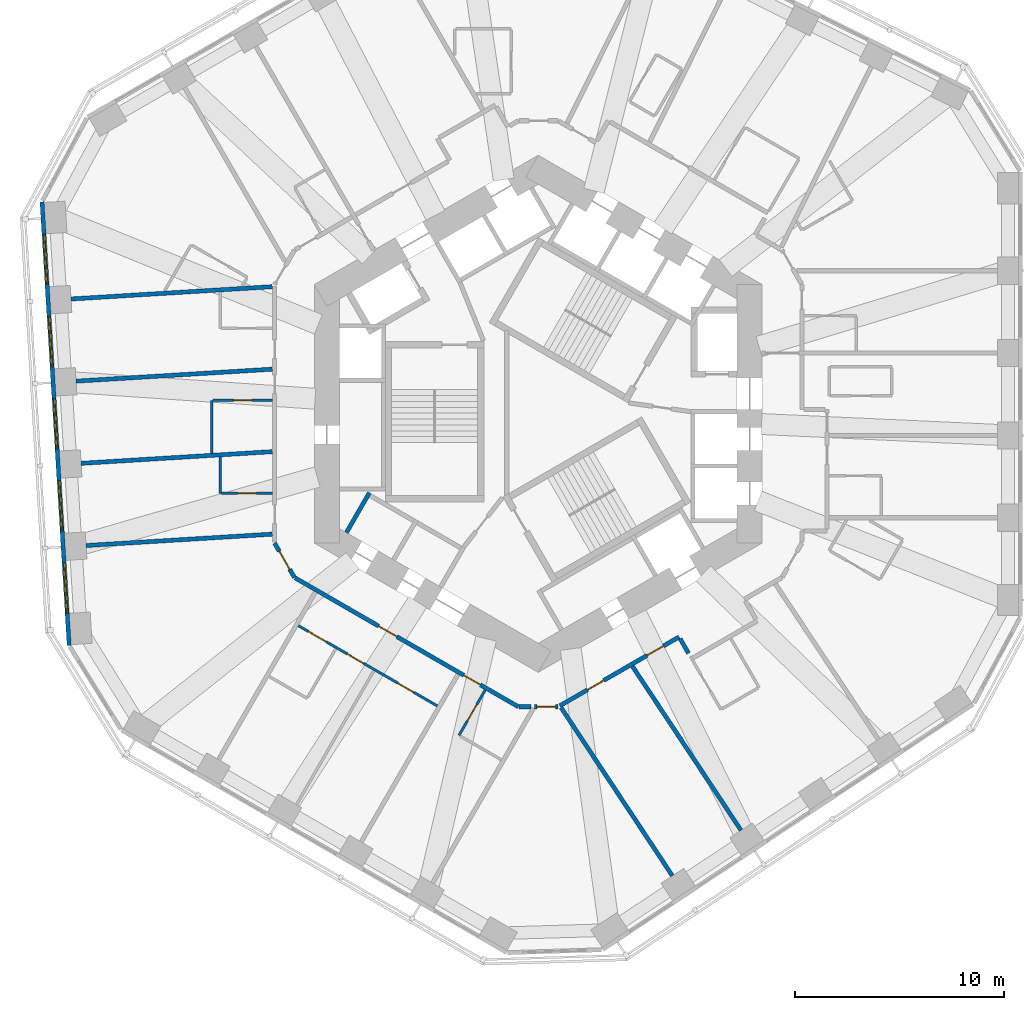
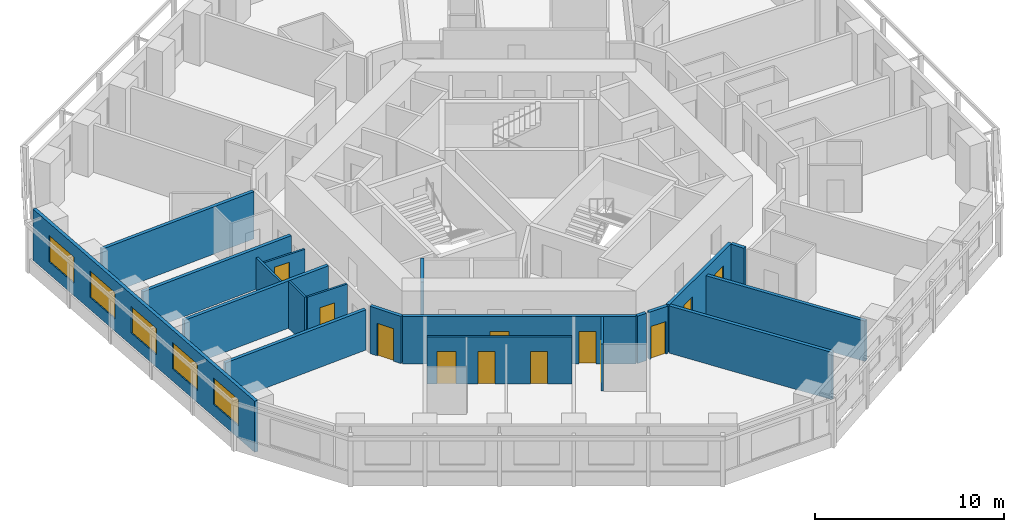
# One storey, part 4 of 12: 20 walls, 12 doors, 5 windows, 17 openings.
"""IFC4 building model written with IfcOpenShell, lengths in metres."""

from ifc_helpers import new_model, si_unit, direction, frame, frame_2d, origin, place, context, subcontext, project, spatial, rectangle, extrude, material, layer, layer_set, type_object, element, fill, save


model = new_model("IFC4")

# Units and contexts
model_context = context("Model", 3, precision=1e-05, world=origin(), true_north=direction((0.0, 1.0)))
body_context = subcontext(model_context, "Body", "Model", "MODEL_VIEW")
ifc_project = project(units=[si_unit("LENGTHUNIT", "METRE"), si_unit("AREAUNIT", "SQUARE_METRE"), si_unit("VOLUMEUNIT", "CUBIC_METRE"), si_unit("PLANEANGLEUNIT", "RADIAN"), si_unit("MASSUNIT", "GRAM", prefix="KILO")], contexts=[model_context])

# Site, building, storey
site_placement = place(None, origin())
site = spatial("IfcSite", under=ifc_project, at=site_placement, CompositionType="ELEMENT")
building_placement = place(site_placement, origin())
building = spatial("IfcBuilding", under=site, at=building_placement, Name="Vanh Sen Convention Tower", CompositionType="ELEMENT")
storey_placement = place(building_placement, frame((0.0, 0.0, 57.199951171875)))
storey = spatial("IfcBuildingStorey", under=building, at=storey_placement, Name="L11", CompositionType="ELEMENT", Elevation=57.199951171875)

# Wall
ifc_material_1 = material(Name="Moisture-resistant gypsum board on steel studs", Category="steel")
ifc_layer_1 = layer(ifc_material_1, 0.1201171875)
ifc_layer_set_1 = layer_set([ifc_layer_1], Name="Moisture-resistant gypsum board on steel studs")
wall_type_1 = type_object("IfcWallType", Name="Bathroom partition 120", PredefinedType="PARTITIONING", material=ifc_layer_set_1)
wall_1_placement = place(storey_placement, frame((-15.60009765625, -1.885986328125, 0.0), z_axis=(0.0, 0.0, 1.0), x_axis=(0.0, 1.0, 0.0)))
element("IfcWall", 1, at=wall_1_placement, inside=storey, type_object=wall_type_1, Name="Bathroom partition 120", PredefinedType="PARTITIONING", context=body_context, shape_type="SweptSolid", body=[
    extrude(rectangle(XDim=2.525390625, YDim=0.1201171875, at=frame_2d((1.2626953125, 0.0))), origin(), (0.0, 0.0, 1.0), 3.050048828125),
])

# Wall, opening, door
wall_2_placement = place(storey_placement, frame((-15.5400390625, 0.639404296875, 0.0), z_axis=(0.0, 0.0, 1.0), x_axis=(1.0, 0.0, 0.0)))
wall_2 = element("IfcWall", 2, at=wall_2_placement, inside=storey, type_object=wall_type_1, Name="Bathroom partition 120", PredefinedType="PARTITIONING", context=body_context, shape_type="SweptSolid", body=[
    extrude(rectangle(XDim=2.840087890625, YDim=0.1201171875, at=frame_2d((1.419921875, 0.0))), origin(), (0.0, 0.0, 1.0), 2.60009765625),
])
opening_1_placement = place(wall_2_placement, frame((0.969970703125, 0.0, 0.0)))
opening_1 = element("IfcOpeningElement", 3, at=opening_1_placement, cuts=wall_2, Name="Opening D10123", PredefinedType="OPENING", context=body_context, shape_type="SweptSolid", body=[
    extrude(rectangle(XDim=0.89990234375, YDim=2.10009765625, at=frame_2d((0.449951171875, 1.050048828125))), frame((0.0, 0.070068359375, 0.0), z_axis=(0.0, -1.0, 0.0), x_axis=(1.0, 0.0, 0.0)), (0.0, 0.0, 1.0), 0.14013671875),
])
ifc_material_2 = material(Name="Laminate door in steel frame", Category="steel")
door_type_1 = type_object("IfcDoorType", Name="En-suite door 900", OperationType="SINGLE_SWING_LEFT", PredefinedType="DOOR", material=ifc_material_2)
door_1_placement = place(opening_1_placement, origin())
door_1 = element("IfcDoor", 4, at=door_1_placement, inside=storey, type_object=door_type_1, Name="En-suite door D10123", OperationType="SINGLE_SWING_LEFT", OverallHeight=2.10009765625, OverallWidth=0.89990234375, PredefinedType="DOOR", context=body_context, shape_type="SweptSolid", body=[
    extrude(rectangle(XDim=0.89990234375, YDim=2.10009765625, at=frame_2d((0.449951171875, 1.050048828125))), frame((0.0, 0.02490234375, 0.0), z_axis=(0.0, -1.0, 0.0), x_axis=(1.0, 0.0, 0.0)), (0.0, 0.0, 1.0), 0.050048828125),
])
fill(opening_1, door_1)

# Wall
wall_3_placement = place(storey_placement, frame((-15.199951171875, -3.802734375, 0.0), z_axis=(0.0, 0.0, 1.0), x_axis=(0.0, 1.0, 0.0)))
element("IfcWall", 5, at=wall_3_placement, inside=storey, type_object=wall_type_1, Name="Bathroom partition 120", PredefinedType="PARTITIONING", context=body_context, shape_type="SweptSolid", body=[
    extrude(rectangle(XDim=1.740966796875, YDim=0.1201171875, at=frame_2d((0.87060546875, 0.0))), origin(), (0.0, 0.0, 1.0), 3.050048828125),
])

# Wall, opening, door
wall_4_placement = place(storey_placement, frame((-12.699951171875, -3.802734375, 0.0), z_axis=(0.0, 0.0, 1.0), x_axis=(-1.0, 0.0, 0.0)))
wall_4 = element("IfcWall", 6, at=wall_4_placement, inside=storey, type_object=wall_type_1, Name="Bathroom partition 120", PredefinedType="PARTITIONING", context=body_context, shape_type="SweptSolid", body=[
    extrude(rectangle(XDim=2.43994140625, YDim=0.1201171875, at=frame_2d((1.219970703125, 0.0))), origin(), (0.0, 0.0, 1.0), 3.050048828125),
])
opening_2_placement = place(wall_4_placement, frame((0.77001953125, 0.0, 0.0)))
opening_2 = element("IfcOpeningElement", 7, at=opening_2_placement, cuts=wall_4, Name="Opening D10125", PredefinedType="OPENING", context=body_context, shape_type="SweptSolid", body=[
    extrude(rectangle(XDim=0.89990234375, YDim=2.10009765625, at=frame_2d((0.449951171875, 1.050048828125))), frame((0.0, 0.070068359375, 0.0), z_axis=(0.0, -1.0, 0.0), x_axis=(1.0, 0.0, 0.0)), (0.0, 0.0, 1.0), 0.14013671875),
])
door_2_placement = place(opening_2_placement, origin())
door_2 = element("IfcDoor", 8, at=door_2_placement, inside=storey, type_object=door_type_1, Name="En-suite door D10125", OperationType="SINGLE_SWING_LEFT", OverallHeight=2.10009765625, OverallWidth=0.89990234375, PredefinedType="DOOR", context=body_context, shape_type="SweptSolid", body=[
    extrude(rectangle(XDim=0.89990234375, YDim=2.10009765625, at=frame_2d((0.449951171875, 1.050048828125))), frame((0.0, 0.02490234375, 0.0), z_axis=(0.0, -1.0, 0.0), x_axis=(1.0, 0.0, 0.0)), (0.0, 0.0, 1.0), 0.050048828125),
])
fill(opening_2, door_2)

# Wall, openings, doors
wall_5_placement = place(storey_placement, frame((-11.462890625, -10.125, 0.0), z_axis=(0.0, 0.0, 1.0), x_axis=(0.866014882148, -0.500018223566, 0.0)))
wall_5 = element("IfcWall", 9, at=wall_5_placement, inside=storey, type_object=wall_type_1, Name="Bathroom partition 120", PredefinedType="PARTITIONING", context=body_context, shape_type="SweptSolid", body=[
    extrude(rectangle(XDim=7.669189453125, YDim=0.1201171875, at=frame_2d((3.83447265625, 0.0))), origin(), (0.0, 0.0, 1.0), 3.050048828125),
])
opening_3_placement = place(wall_5_placement, frame((0.550048828125, 0.0, 0.0)))
opening_3 = element("IfcOpeningElement", 10, at=opening_3_placement, cuts=wall_5, Name="Opening D10128", PredefinedType="OPENING", context=body_context, shape_type="SweptSolid", body=[
    extrude(rectangle(XDim=1.0, YDim=2.10009765625, at=frame_2d((0.5, 1.050048828125))), frame((0.0, 0.070068359375, 0.0), z_axis=(0.0, -1.0, 0.0), x_axis=(1.0, 0.0, 0.0)), (0.0, 0.0, 1.0), 0.14013671875),
])
opening_4_placement = place(wall_5_placement, frame((2.7001953125, 0.0, 0.0)))
opening_4 = element("IfcOpeningElement", 11, at=opening_4_placement, cuts=wall_5, Name="Opening D10129", PredefinedType="OPENING", context=body_context, shape_type="SweptSolid", body=[
    extrude(rectangle(XDim=0.89990234375, YDim=2.10009765625, at=frame_2d((0.449951171875, 1.050048828125))), frame((0.0, 0.070068359375, 0.0), z_axis=(0.0, -1.0, 0.0), x_axis=(1.0, 0.0, 0.0)), (0.0, 0.0, 1.0), 0.14013671875),
])
opening_5_placement = place(wall_5_placement, frame((5.484619140625, 0.0, 0.0)))
opening_5 = element("IfcOpeningElement", 12, at=opening_5_placement, cuts=wall_5, Name="Opening D10130", PredefinedType="OPENING", context=body_context, shape_type="SweptSolid", body=[
    extrude(rectangle(XDim=0.89990234375, YDim=2.10009765625, at=frame_2d((0.449951171875, 1.050048828125))), frame((0.0, 0.070068359375, 0.0), z_axis=(0.0, -1.0, 0.0), x_axis=(1.0, 0.0, 0.0)), (0.0, 0.0, 1.0), 0.14013671875),
])
door_type_2 = type_object("IfcDoorType", Name="Accessible WC door 1000", OperationType="SINGLE_SWING_LEFT", PredefinedType="DOOR", material=ifc_material_2)
door_3_placement = place(opening_3_placement, origin())
door_3 = element("IfcDoor", 13, at=door_3_placement, inside=storey, type_object=door_type_2, Name="Accessible WC door D10128", OperationType="SINGLE_SWING_LEFT", OverallHeight=2.10009765625, OverallWidth=1.0, PredefinedType="DOOR", context=body_context, shape_type="SweptSolid", body=[
    extrude(rectangle(XDim=1.0, YDim=2.10009765625, at=frame_2d((0.5, 1.050048828125))), frame((0.0, 0.02490234375, 0.0), z_axis=(0.0, -1.0, 0.0), x_axis=(1.0, 0.0, 0.0)), (0.0, 0.0, 1.0), 0.050048828125),
])
fill(opening_3, door_3)
door_type_3 = type_object("IfcDoorType", Name="Room internal door 900", OperationType="SINGLE_SWING_LEFT", PredefinedType="DOOR", material=ifc_material_2)
door_4_placement = place(opening_4_placement, origin())
door_4 = element("IfcDoor", 14, at=door_4_placement, inside=storey, type_object=door_type_3, Name="Internal room door D10129", OperationType="SINGLE_SWING_LEFT", OverallHeight=2.10009765625, OverallWidth=0.89990234375, PredefinedType="DOOR", context=body_context, shape_type="SweptSolid", body=[
    extrude(rectangle(XDim=0.89990234375, YDim=2.10009765625, at=frame_2d((0.449951171875, 1.050048828125))), frame((0.0, 0.02490234375, 0.0), z_axis=(0.0, -1.0, 0.0), x_axis=(1.0, 0.0, 0.0)), (0.0, 0.0, 1.0), 0.050048828125),
])
fill(opening_4, door_4)
door_5_placement = place(opening_5_placement, origin())
door_5 = element("IfcDoor", 15, at=door_5_placement, inside=storey, type_object=door_type_3, Name="Internal room door D10130", OperationType="SINGLE_SWING_LEFT", OverallHeight=2.10009765625, OverallWidth=0.89990234375, PredefinedType="DOOR", context=body_context, shape_type="SweptSolid", body=[
    extrude(rectangle(XDim=0.89990234375, YDim=2.10009765625, at=frame_2d((0.449951171875, 1.050048828125))), frame((0.0, 0.02490234375, 0.0), z_axis=(0.0, -1.0, 0.0), x_axis=(1.0, 0.0, 0.0)), (0.0, 0.0, 1.0), 0.050048828125),
])
fill(opening_5, door_5)

# Wall, opening, door
wall_6_placement = place(storey_placement, frame((-3.78564453125, -15.36572265625, 0.0), z_axis=(0.0, 0.0, 1.0), x_axis=(0.500004234368, 0.866022959057, 0.0)))
wall_6 = element("IfcWall", 16, at=wall_6_placement, inside=storey, type_object=wall_type_1, Name="Bathroom partition 120", PredefinedType="PARTITIONING", context=body_context, shape_type="SweptSolid", body=[
    extrude(rectangle(XDim=2.5, YDim=0.1201171875, at=frame_2d((1.25, 0.0))), origin(), (0.0, 0.0, 1.0), 3.050048828125),
])
opening_6_placement = place(wall_6_placement, frame((0.800048828125, 0.0, 0.0)))
opening_6 = element("IfcOpeningElement", 17, at=opening_6_placement, cuts=wall_6, Name="Opening D10132", PredefinedType="OPENING", context=body_context, shape_type="SweptSolid", body=[
    extrude(rectangle(XDim=0.89990234375, YDim=2.10009765625, at=frame_2d((0.449951171875, 1.050048828125))), frame((0.0, 0.070068359375, 0.0), z_axis=(0.0, -1.0, 0.0), x_axis=(1.0, 0.0, 0.0)), (0.0, 0.0, 1.0), 0.14013671875),
])
door_6_placement = place(opening_6_placement, origin())
door_6 = element("IfcDoor", 18, at=door_6_placement, inside=storey, type_object=door_type_1, Name="En-suite door D10132", OperationType="SINGLE_SWING_LEFT", OverallHeight=2.10009765625, OverallWidth=0.89990234375, PredefinedType="DOOR", context=body_context, shape_type="SweptSolid", body=[
    extrude(rectangle(XDim=0.89990234375, YDim=2.10009765625, at=frame_2d((0.449951171875, 1.050048828125))), frame((0.0, 0.02490234375, 0.0), z_axis=(0.0, -1.0, 0.0), x_axis=(1.0, 0.0, 0.0)), (0.0, 0.0, 1.0), 0.050048828125),
])
fill(opening_6, door_6)

ifc_material_3 = material(Name="Gypsum board on steel studs with mineral wool", Category="steel")
ifc_layer_2 = layer(ifc_material_3, 0.199951171875)
ifc_layer_set_2 = layer_set([ifc_layer_2], Name="Gypsum board on steel studs with mineral wool")
wall_type_2 = type_object("IfcWallType", Name="Corridor partition wall 200", PredefinedType="PARTITIONING", material=ifc_layer_set_2)
wall_7_placement = place(storey_placement, frame((-12.60009765625, -6.177490234375, 0.0), z_axis=(0.0, 0.0, 1.0), x_axis=(0.500063520245, -0.865988727248, 0.0)))
wall_7 = element("IfcWall", 19, at=wall_7_placement, inside=storey, type_object=wall_type_2, Name="Corridor partition wall 200", PredefinedType="PARTITIONING", context=body_context, shape_type="SweptSolid", body=[
    extrude(rectangle(XDim=1.900146484375, YDim=0.199951171875, at=frame_2d((0.9501953125, 0.0))), origin(), (0.0, 0.0, 1.0), 3.050048828125),
])
opening_7_placement = place(wall_7_placement, frame((0.449951171875, 0.0, 0.0)))
opening_7 = element("IfcOpeningElement", 20, at=opening_7_placement, cuts=wall_7, Name="Opening D10126", PredefinedType="OPENING", context=body_context, shape_type="SweptSolid", body=[
    extrude(rectangle(XDim=1.0, YDim=2.10009765625, at=frame_2d((0.5, 1.050048828125))), frame((0.0, 0.10986328125, 0.0), z_axis=(0.0, -1.0, 0.0), x_axis=(1.0, 0.0, 0.0)), (0.0, 0.0, 1.0), 0.219970703125),
])
ifc_material_4 = material(Name="Timber fire door in steel frame", Category="steel")
door_type_4 = type_object("IfcDoorType", Name="Floor room door 1000", OperationType="SINGLE_SWING_LEFT", PredefinedType="DOOR", material=ifc_material_4)
door_7_placement = place(opening_7_placement, origin())
door_7 = element("IfcDoor", 21, at=door_7_placement, inside=storey, type_object=door_type_4, Name="Meeting and amenity room door D10126", OperationType="SINGLE_SWING_LEFT", OverallHeight=2.10009765625, OverallWidth=1.0, PredefinedType="DOOR", context=body_context, shape_type="SweptSolid", body=[
    extrude(rectangle(XDim=1.0, YDim=2.10009765625, at=frame_2d((0.5, 1.050048828125))), frame((0.0, 0.02490234375, 0.0), z_axis=(0.0, -1.0, 0.0), x_axis=(1.0, 0.0, 0.0)), (0.0, 0.0, 1.0), 0.050048828125),
])
fill(opening_7, door_7)

# Wall, openings, doors
wall_8_placement = place(storey_placement, frame((-11.615478515625, -7.843017578125, 0.0), z_axis=(0.0, 0.0, 1.0), x_axis=(0.866026466995, -0.499998158461, 0.0)))
wall_8 = element("IfcWall", 22, at=wall_8_placement, inside=storey, type_object=wall_type_2, Name="Corridor partition wall 200", PredefinedType="PARTITIONING", context=body_context, shape_type="SweptSolid", body=[
    extrude(rectangle(XDim=12.3154296875, YDim=0.199951171875, at=frame_2d((6.15771484375, 0.0))), origin(), (0.0, 0.0, 1.0), 3.050048828125),
])
opening_8_placement = place(wall_8_placement, frame((4.607666015625, 0.0, 0.0)))
opening_8 = element("IfcOpeningElement", 23, at=opening_8_placement, cuts=wall_8, Name="Opening D10127", PredefinedType="OPENING", context=body_context, shape_type="SweptSolid", body=[
    extrude(rectangle(XDim=1.0, YDim=2.10009765625, at=frame_2d((0.5, 1.050048828125))), frame((0.0, 0.10986328125, 0.0), z_axis=(0.0, -1.0, 0.0), x_axis=(1.0, 0.0, 0.0)), (0.0, 0.0, 1.0), 0.219970703125),
])
opening_9_placement = place(wall_8_placement, frame((9.317138671875, 0.0, 0.0)))
opening_9 = element("IfcOpeningElement", 24, at=opening_9_placement, cuts=wall_8, Name="Opening D10131", PredefinedType="OPENING", context=body_context, shape_type="SweptSolid", body=[
    extrude(rectangle(XDim=0.89990234375, YDim=2.10009765625, at=frame_2d((0.449951171875, 1.050048828125))), frame((0.0, 0.10986328125, 0.0), z_axis=(0.0, -1.0, 0.0), x_axis=(1.0, 0.0, 0.0)), (0.0, 0.0, 1.0), 0.219970703125),
])
door_8_placement = place(opening_8_placement, origin())
door_8 = element("IfcDoor", 25, at=door_8_placement, inside=storey, type_object=door_type_4, Name="Meeting and amenity room door D10127", OperationType="SINGLE_SWING_LEFT", OverallHeight=2.10009765625, OverallWidth=1.0, PredefinedType="DOOR", context=body_context, shape_type="SweptSolid", body=[
    extrude(rectangle(XDim=1.0, YDim=2.10009765625, at=frame_2d((0.5, 1.050048828125))), frame((0.0, 0.02490234375, 0.0), z_axis=(0.0, -1.0, 0.0), x_axis=(1.0, 0.0, 0.0)), (0.0, 0.0, 1.0), 0.050048828125),
])
fill(opening_8, door_8)
door_type_5 = type_object("IfcDoorType", Name="Guest room door 900", OperationType="SINGLE_SWING_LEFT", PredefinedType="DOOR", material=ifc_material_4)
door_9_placement = place(opening_9_placement, origin())
door_9 = element("IfcDoor", 26, at=door_9_placement, inside=storey, type_object=door_type_5, Name="Hotel guest room door D10131", OperationType="SINGLE_SWING_LEFT", OverallHeight=2.10009765625, OverallWidth=0.89990234375, PredefinedType="DOOR", context=body_context, shape_type="SweptSolid", body=[
    extrude(rectangle(XDim=0.89990234375, YDim=2.10009765625, at=frame_2d((0.449951171875, 1.050048828125))), frame((0.0, 0.02490234375, 0.0), z_axis=(0.0, -1.0, 0.0), x_axis=(1.0, 0.0, 0.0)), (0.0, 0.0, 1.0), 0.050048828125),
])
fill(opening_9, door_9)

# Wall
wall_9_placement = place(storey_placement, frame((-0.909912109375, -14.000732421875, 0.0), z_axis=(0.0, 0.0, 1.0), x_axis=(1.0, 0.0, 0.0)))
element("IfcWall", 27, at=wall_9_placement, inside=storey, type_object=wall_type_2, Name="Corridor partition wall 200", PredefinedType="PARTITIONING", context=body_context, shape_type="SweptSolid", body=[
    extrude(rectangle(XDim=0.559814453125, YDim=0.199951171875, at=frame_2d((0.27978515625, 0.0))), origin(), (0.0, 0.0, 1.0), 3.050048828125),
])

# Wall, opening, door
wall_10_placement = place(storey_placement, frame((-0.186279296875, -14.000732421875, 0.0), z_axis=(0.0, 0.0, 1.0), x_axis=(1.0, 0.0, 0.0)))
wall_10 = element("IfcWall", 28, at=wall_10_placement, inside=storey, type_object=wall_type_2, Name="Corridor partition wall 200", PredefinedType="PARTITIONING", context=body_context, shape_type="SweptSolid", body=[
    extrude(rectangle(XDim=1.13623046875, YDim=0.199951171875, at=frame_2d((0.568115234375, 0.0))), origin(), (0.0, 0.0, 1.0), 3.050048828125),
])
opening_10_placement = place(wall_10_placement, frame((0.1181640625, 0.0, 0.0)))
opening_10 = element("IfcOpeningElement", 29, at=opening_10_placement, cuts=wall_10, Name="Opening D10133", PredefinedType="OPENING", context=body_context, shape_type="SweptSolid", body=[
    extrude(rectangle(XDim=0.89990234375, YDim=2.10009765625, at=frame_2d((0.449951171875, 1.050048828125))), frame((0.0, 0.10986328125, 0.0), z_axis=(0.0, -1.0, 0.0), x_axis=(1.0, 0.0, 0.0)), (0.0, 0.0, 1.0), 0.219970703125),
])
door_type_6 = type_object("IfcDoorType", Name="Floor room door 900", OperationType="SINGLE_SWING_LEFT", PredefinedType="DOOR", material=ifc_material_4)
door_10_placement = place(opening_10_placement, origin())
door_10 = element("IfcDoor", 30, at=door_10_placement, inside=storey, type_object=door_type_6, Name="Meeting and amenity room door D10133", OperationType="SINGLE_SWING_LEFT", OverallHeight=2.10009765625, OverallWidth=0.89990234375, PredefinedType="DOOR", context=body_context, shape_type="SweptSolid", body=[
    extrude(rectangle(XDim=0.89990234375, YDim=2.10009765625, at=frame_2d((0.449951171875, 1.050048828125))), frame((0.0, 0.02490234375, 0.0), z_axis=(0.0, -1.0, 0.0), x_axis=(1.0, 0.0, 0.0)), (0.0, 0.0, 1.0), 0.050048828125),
])
fill(opening_10, door_10)

# Wall, openings, doors
wall_11_placement = place(storey_placement, frame((1.033447265625, -13.95263671875, 0.0), z_axis=(0.0, 0.0, 1.0), x_axis=(0.866017531406, 0.500013635111, 0.0)))
wall_11 = element("IfcWall", 31, at=wall_11_placement, inside=storey, type_object=wall_type_2, Name="Corridor partition wall 200", PredefinedType="PARTITIONING", context=body_context, shape_type="SweptSolid", body=[
    extrude(rectangle(XDim=6.580322265625, YDim=0.199951171875, at=frame_2d((3.2900390625, 0.0))), origin(), (0.0, 0.0, 1.0), 3.050048828125),
])
opening_11_placement = place(wall_11_placement, frame((1.52099609375, 0.0, 0.0)))
opening_11 = element("IfcOpeningElement", 32, at=opening_11_placement, cuts=wall_11, Name="Opening D10134", PredefinedType="OPENING", context=body_context, shape_type="SweptSolid", body=[
    extrude(rectangle(XDim=0.89990234375, YDim=2.10009765625, at=frame_2d((0.449951171875, 1.050048828125))), frame((0.0, 0.10986328125, 0.0), z_axis=(0.0, -1.0, 0.0), x_axis=(1.0, 0.0, 0.0)), (0.0, 0.0, 1.0), 0.219970703125),
])
opening_12_placement = place(wall_11_placement, frame((4.81103515625, 0.0, 0.0)))
opening_12 = element("IfcOpeningElement", 33, at=opening_12_placement, cuts=wall_11, Name="Opening D10135", PredefinedType="OPENING", context=body_context, shape_type="SweptSolid", body=[
    extrude(rectangle(XDim=0.89990234375, YDim=2.10009765625, at=frame_2d((0.449951171875, 1.050048828125))), frame((0.0, 0.10986328125, 0.0), z_axis=(0.0, -1.0, 0.0), x_axis=(1.0, 0.0, 0.0)), (0.0, 0.0, 1.0), 0.219970703125),
])
door_type_7 = type_object("IfcDoorType", Name="Floor service door 900", OperationType="SINGLE_SWING_LEFT", PredefinedType="DOOR", material=ifc_material_4)
door_11_placement = place(opening_11_placement, origin())
door_11 = element("IfcDoor", 34, at=door_11_placement, inside=storey, type_object=door_type_7, Name="Service room door D10134", OperationType="SINGLE_SWING_LEFT", OverallHeight=2.10009765625, OverallWidth=0.89990234375, PredefinedType="DOOR", context=body_context, shape_type="SweptSolid", body=[
    extrude(rectangle(XDim=0.89990234375, YDim=2.10009765625, at=frame_2d((0.449951171875, 1.050048828125))), frame((0.0, 0.02490234375, 0.0), z_axis=(0.0, -1.0, 0.0), x_axis=(1.0, 0.0, 0.0)), (0.0, 0.0, 1.0), 0.050048828125),
])
fill(opening_11, door_11)
door_12_placement = place(opening_12_placement, origin())
door_12 = element("IfcDoor", 35, at=door_12_placement, inside=storey, type_object=door_type_5, Name="Hotel guest room door D10135", OperationType="SINGLE_SWING_LEFT", OverallHeight=2.10009765625, OverallWidth=0.89990234375, PredefinedType="DOOR", context=body_context, shape_type="SweptSolid", body=[
    extrude(rectangle(XDim=0.89990234375, YDim=2.10009765625, at=frame_2d((0.449951171875, 1.050048828125))), frame((0.0, 0.02490234375, 0.0), z_axis=(0.0, -1.0, 0.0), x_axis=(1.0, 0.0, 0.0)), (0.0, 0.0, 1.0), 0.050048828125),
])
fill(opening_12, door_12)

# Wall
wall_12_placement = place(storey_placement, frame((6.781982421875, -10.7490234375, 0.0), z_axis=(0.0, 0.0, 1.0), x_axis=(0.500170954823, -0.865926680471, 0.0)))
element("IfcWall", 36, at=wall_12_placement, inside=storey, type_object=wall_type_2, Name="Corridor partition wall 200", PredefinedType="PARTITIONING", context=body_context, shape_type="SweptSolid", body=[
    extrude(rectangle(XDim=0.801025390625, YDim=0.199951171875, at=frame_2d((0.400390625, 0.0))), origin(), (0.0, 0.0, 1.0), 3.050048828125),
])

# Wall, openings, windows
ifc_material_5 = material(Name="Insulated lightweight infill wall")
ifc_layer_3 = layer(ifc_material_5, 0.199951171875)
ifc_layer_set_3 = layer_set([ifc_layer_3], Name="Insulated lightweight infill wall")
wall_type_3 = type_object("IfcWallType", Name="External wall 200", PredefinedType="STANDARD", material=ifc_layer_set_3)
wall_13_placement = place(storey_placement, frame((-23.712646484375, 10.130859375, 0.0), z_axis=(0.0, 0.0, 1.0), x_axis=(0.061040439785, -0.998135293791, 0.0)))
wall_13 = element("IfcWall", 37, at=wall_13_placement, inside=storey, type_object=wall_type_3, Name="External wall W L11", PredefinedType="STANDARD", context=body_context, shape_type="SweptSolid", body=[
    extrude(rectangle(XDim=21.24609375, YDim=0.199951171875, at=frame_2d((10.623046875, 0.0))), origin(), (0.0, 0.0, 1.0), 3.300048828125),
])
opening_13_placement = place(wall_13_placement, frame((1.552978515625, 0.0, 0.800048828125)))
opening_13 = element("IfcOpeningElement", 38, at=opening_13_placement, cuts=wall_13, Name="Opening WH1-W1", PredefinedType="OPENING", context=body_context, shape_type="SweptSolid", body=[
    extrude(rectangle(XDim=2.39990234375, YDim=1.699951171875, at=frame_2d((1.199951171875, 0.85009765625))), frame((0.0, 0.10986328125, 0.0), z_axis=(0.0, -1.0, 0.0), x_axis=(1.0, 0.0, 0.0)), (0.0, 0.0, 1.0), 0.219970703125),
])
opening_14_placement = place(wall_13_placement, frame((5.48779296875, 0.0, 0.800048828125)))
opening_14 = element("IfcOpeningElement", 39, at=opening_14_placement, cuts=wall_13, Name="Opening WH1-W2", PredefinedType="OPENING", context=body_context, shape_type="SweptSolid", body=[
    extrude(rectangle(XDim=2.39990234375, YDim=1.699951171875, at=frame_2d((1.199951171875, 0.85009765625))), frame((0.0, 0.10986328125, 0.0), z_axis=(0.0, -1.0, 0.0), x_axis=(1.0, 0.0, 0.0)), (0.0, 0.0, 1.0), 0.219970703125),
])
opening_15_placement = place(wall_13_placement, frame((9.42236328125, 0.0, 0.800048828125)))
opening_15 = element("IfcOpeningElement", 40, at=opening_15_placement, cuts=wall_13, Name="Opening WH1-W3", PredefinedType="OPENING", context=body_context, shape_type="SweptSolid", body=[
    extrude(rectangle(XDim=2.39990234375, YDim=1.699951171875, at=frame_2d((1.199951171875, 0.85009765625))), frame((0.0, 0.10986328125, 0.0), z_axis=(0.0, -1.0, 0.0), x_axis=(1.0, 0.0, 0.0)), (0.0, 0.0, 1.0), 0.219970703125),
])
opening_16_placement = place(wall_13_placement, frame((13.35693359375, 0.0, 0.800048828125)))
opening_16 = element("IfcOpeningElement", 41, at=opening_16_placement, cuts=wall_13, Name="Opening WH1-W4", PredefinedType="OPENING", context=body_context, shape_type="SweptSolid", body=[
    extrude(rectangle(XDim=2.39990234375, YDim=1.699951171875, at=frame_2d((1.199951171875, 0.85009765625))), frame((0.0, 0.10986328125, 0.0), z_axis=(0.0, -1.0, 0.0), x_axis=(1.0, 0.0, 0.0)), (0.0, 0.0, 1.0), 0.219970703125),
])
opening_17_placement = place(wall_13_placement, frame((17.29150390625, 0.0, 0.800048828125)))
opening_17 = element("IfcOpeningElement", 42, at=opening_17_placement, cuts=wall_13, Name="Opening WH1-W5", PredefinedType="OPENING", context=body_context, shape_type="SweptSolid", body=[
    extrude(rectangle(XDim=2.39990234375, YDim=1.699951171875, at=frame_2d((1.199951171875, 0.85009765625))), frame((0.0, 0.10986328125, 0.0), z_axis=(0.0, -1.0, 0.0), x_axis=(1.0, 0.0, 0.0)), (0.0, 0.0, 1.0), 0.219970703125),
])
ifc_material_6 = material(Name="Aluminium frame with clear low-emissivity glass", Category="aluminium")
window_type = type_object("IfcWindowType", Name="Hotel window 2400 x 1700", PartitioningType="SINGLE_PANEL", PredefinedType="WINDOW", material=ifc_material_6)
window_1_placement = place(opening_13_placement, origin())
window_1 = element("IfcWindow", 43, at=window_1_placement, inside=storey, type_object=window_type, Name="Window WH1-W1", OverallHeight=1.699951171875, OverallWidth=2.39990234375, PartitioningType="SINGLE_PANEL", PredefinedType="WINDOW", context=body_context, shape_type="SweptSolid", body=[
    extrude(rectangle(XDim=2.39990234375, YDim=1.699951171875, at=frame_2d((1.199951171875, 0.85009765625))), frame((0.0, 0.030029296875, 0.0), z_axis=(0.0, -1.0, 0.0), x_axis=(1.0, 0.0, 0.0)), (0.0, 0.0, 1.0), 0.06005859375),
])
fill(opening_13, window_1)
window_2_placement = place(opening_14_placement, origin())
window_2 = element("IfcWindow", 44, at=window_2_placement, inside=storey, type_object=window_type, Name="Window WH1-W2", OverallHeight=1.699951171875, OverallWidth=2.39990234375, PartitioningType="SINGLE_PANEL", PredefinedType="WINDOW", context=body_context, shape_type="SweptSolid", body=[
    extrude(rectangle(XDim=2.39990234375, YDim=1.699951171875, at=frame_2d((1.199951171875, 0.85009765625))), frame((0.0, 0.030029296875, 0.0), z_axis=(0.0, -1.0, 0.0), x_axis=(1.0, 0.0, 0.0)), (0.0, 0.0, 1.0), 0.06005859375),
])
fill(opening_14, window_2)
window_3_placement = place(opening_15_placement, origin())
window_3 = element("IfcWindow", 45, at=window_3_placement, inside=storey, type_object=window_type, Name="Window WH1-W3", OverallHeight=1.699951171875, OverallWidth=2.39990234375, PartitioningType="SINGLE_PANEL", PredefinedType="WINDOW", context=body_context, shape_type="SweptSolid", body=[
    extrude(rectangle(XDim=2.39990234375, YDim=1.699951171875, at=frame_2d((1.199951171875, 0.85009765625))), frame((0.0, 0.030029296875, 0.0), z_axis=(0.0, -1.0, 0.0), x_axis=(1.0, 0.0, 0.0)), (0.0, 0.0, 1.0), 0.06005859375),
])
fill(opening_15, window_3)
window_4_placement = place(opening_16_placement, origin())
window_4 = element("IfcWindow", 46, at=window_4_placement, inside=storey, type_object=window_type, Name="Window WH1-W4", OverallHeight=1.699951171875, OverallWidth=2.39990234375, PartitioningType="SINGLE_PANEL", PredefinedType="WINDOW", context=body_context, shape_type="SweptSolid", body=[
    extrude(rectangle(XDim=2.39990234375, YDim=1.699951171875, at=frame_2d((1.199951171875, 0.85009765625))), frame((0.0, 0.030029296875, 0.0), z_axis=(0.0, -1.0, 0.0), x_axis=(1.0, 0.0, 0.0)), (0.0, 0.0, 1.0), 0.06005859375),
])
fill(opening_16, window_4)
window_5_placement = place(opening_17_placement, origin())
window_5 = element("IfcWindow", 47, at=window_5_placement, inside=storey, type_object=window_type, Name="Window WH1-W5", OverallHeight=1.699951171875, OverallWidth=2.39990234375, PartitioningType="SINGLE_PANEL", PredefinedType="WINDOW", context=body_context, shape_type="SweptSolid", body=[
    extrude(rectangle(XDim=2.39990234375, YDim=1.699951171875, at=frame_2d((1.199951171875, 0.85009765625))), frame((0.0, 0.030029296875, 0.0), z_axis=(0.0, -1.0, 0.0), x_axis=(1.0, 0.0, 0.0)), (0.0, 0.0, 1.0), 0.06005859375),
])
fill(opening_17, window_5)

# Walls
ifc_layer_4 = layer(ifc_material_3, 0.199951171875)
ifc_layer_set_4 = layer_set([ifc_layer_4], Name="Gypsum board on steel studs with mineral wool")
wall_type_4 = type_object("IfcWallType", Name="Hotel party wall 200", PredefinedType="PARTITIONING", material=ifc_layer_set_4)
wall_14_placement = place(storey_placement, frame((-22.32666015625, 5.486328125, 0.0), z_axis=(0.0, 0.0, 1.0), x_axis=(0.998135194863, 0.061042057435, 0.0)))
element("IfcWall", 48, at=wall_14_placement, inside=storey, type_object=wall_type_4, Name="Hotel party wall 200", PredefinedType="PARTITIONING", context=body_context, shape_type="SweptSolid", body=[
    extrude(rectangle(XDim=9.635009765625, YDim=0.199951171875, at=frame_2d((4.8173828125, 0.0))), origin(), (0.0, 0.0, 1.0), 3.050048828125),
])
wall_15_placement = place(storey_placement, frame((-22.08642578125, 1.55908203125, 0.0), z_axis=(0.0, 0.0, 1.0), x_axis=(0.99813491363, 0.061046655873, 0.0)))
element("IfcWall", 49, at=wall_15_placement, inside=storey, type_object=wall_type_4, Name="Hotel party wall 200", PredefinedType="PARTITIONING", context=body_context, shape_type="SweptSolid", body=[
    extrude(rectangle(XDim=9.394287109375, YDim=0.199951171875, at=frame_2d((4.697265625, 0.0))), origin(), (0.0, 0.0, 1.0), 2.60009765625),
])
wall_16_placement = place(storey_placement, frame((-21.84619140625, -2.3681640625, 0.0), z_axis=(0.0, 0.0, 1.0), x_axis=(0.998134617584, 0.061051496129, 0.0)))
element("IfcWall", 50, at=wall_16_placement, inside=storey, type_object=wall_type_4, Name="Hotel party wall 200", PredefinedType="PARTITIONING", context=body_context, shape_type="SweptSolid", body=[
    extrude(rectangle(XDim=9.153564453125, YDim=0.199951171875, at=frame_2d((4.57666015625, 0.0))), origin(), (0.0, 0.0, 1.0), 3.050048828125),
])
wall_17_placement = place(storey_placement, frame((-21.60595703125, -6.29541015625, 0.0), z_axis=(0.0, 0.0, 1.0), x_axis=(0.998134305525, 0.061056597794, 0.0)))
element("IfcWall", 51, at=wall_17_placement, inside=storey, type_object=wall_type_4, Name="Hotel party wall 200", PredefinedType="PARTITIONING", context=body_context, shape_type="SweptSolid", body=[
    extrude(rectangle(XDim=8.912841796875, YDim=0.199951171875, at=frame_2d((4.45654296875, 0.0))), origin(), (0.0, 0.0, 1.0), 2.60009765625),
])
wall_18_placement = place(storey_placement, frame((6.411865234375, -22.07861328125, 0.0), z_axis=(0.0, 0.0, 1.0), x_axis=(-0.551919507115, 0.83389739037, 0.0)))
element("IfcWall", 52, at=wall_18_placement, inside=storey, type_object=wall_type_4, Name="Hotel party wall 200", PredefinedType="PARTITIONING", context=body_context, shape_type="SweptSolid", body=[
    extrude(rectangle(XDim=9.634765625, YDim=0.199951171875, at=frame_2d((4.8173828125, 0.0))), origin(), (0.0, 0.0, 1.0), 3.050048828125),
])
wall_19_placement = place(storey_placement, frame((9.69287109375, -19.906982421875, 0.0), z_axis=(0.0, 0.0, 1.0), x_axis=(-0.551938394837, 0.833884889121, 0.0)))
element("IfcWall", 53, at=wall_19_placement, inside=storey, type_object=wall_type_4, Name="Hotel party wall 200", PredefinedType="PARTITIONING", context=body_context, shape_type="SweptSolid", body=[
    extrude(rectangle(XDim=9.394287109375, YDim=0.199951171875, at=frame_2d((4.697265625, 0.0))), origin(), (0.0, 0.0, 1.0), 2.60009765625),
])
ifc_material_7 = material(Name="Concrete C40/50", Category="concrete")
ifc_layer_5 = layer(ifc_material_7, 0.199951171875)
ifc_layer_set_5 = layer_set([ifc_layer_5], Name="Concrete C40/50")
wall_type_5 = type_object("IfcWallType", Name="Lift shaft wall 200", PredefinedType="PARTITIONING", material=ifc_layer_set_5)
wall_20_placement = place(storey_placement, frame((-8.066650390625, -3.77197265625, 0.0), z_axis=(0.0, 0.0, 1.0), x_axis=(-0.50002983664, -0.866008176907, 0.0)))
element("IfcWall", 54, at=wall_20_placement, inside=storey, type_object=wall_type_5, Name="Lift shaft wall L11", PredefinedType="PARTITIONING", context=body_context, shape_type="SweptSolid", body=[
    extrude(rectangle(XDim=2.199951171875, YDim=0.199951171875, at=frame_2d((1.10009765625, 0.0))), origin(), (0.0, 0.0, 1.0), 3.050048828125),
])

save(model, "model.ifc")
